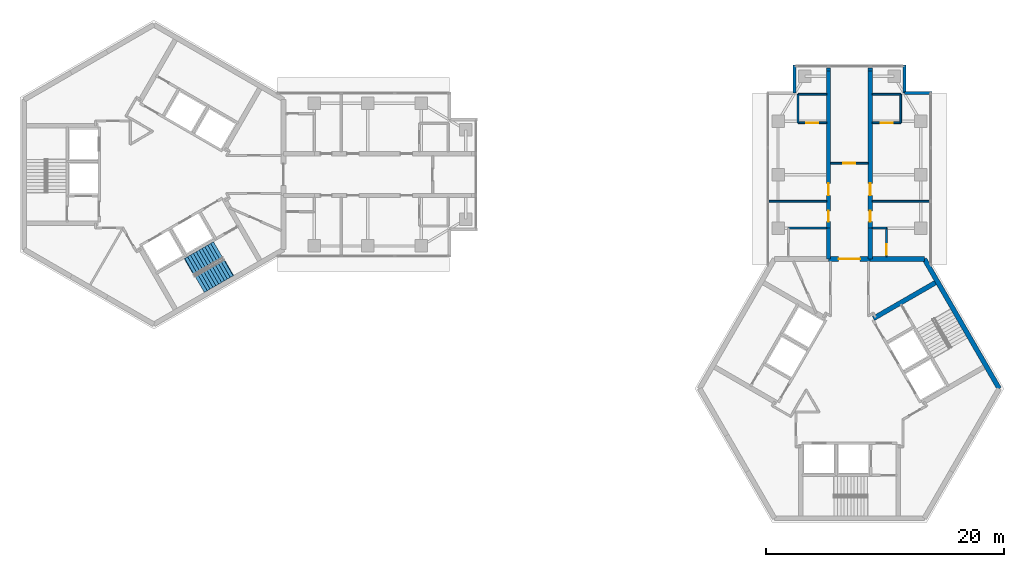
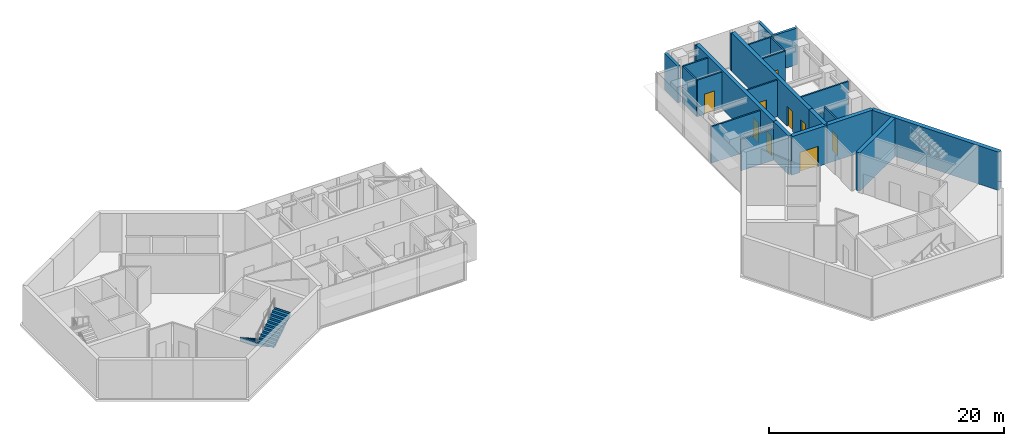
# One storey, part 9 of 11: 25 walls, 9 doors, 2 stair flights, 9 openings, 1 element without a shape of its own.
"""IFC4 building model written with IfcOpenShell, lengths in metres."""

from ifc_helpers import new_model, si_unit, direction, frame, frame_2d, origin, place, context, subcontext, project, spatial, polyline, rectangle, outline, extrude, material, layer, layer_set, type_object, element, fill, aggregate, save


model = new_model("IFC4")

# Units and contexts
model_context = context("Model", 3, precision=1e-05, world=origin(), true_north=direction((0.0, 1.0)))
body_context = subcontext(model_context, "Body", "Model", "MODEL_VIEW")
ifc_project = project(units=[si_unit("LENGTHUNIT", "METRE"), si_unit("AREAUNIT", "SQUARE_METRE"), si_unit("VOLUMEUNIT", "CUBIC_METRE"), si_unit("PLANEANGLEUNIT", "RADIAN"), si_unit("MASSUNIT", "GRAM", prefix="KILO")], contexts=[model_context])

# Site, building, storey
site_placement = place(None, origin())
site = spatial("IfcSite", under=ifc_project, at=site_placement, CompositionType="ELEMENT")
building_placement = place(site_placement, origin())
building = spatial("IfcBuilding", under=site, at=building_placement, Name="Upepo Twin Towers", CompositionType="ELEMENT")
storey_placement = place(building_placement, frame((0.0, 0.0, 247.5)))
storey = spatial("IfcBuildingStorey", under=building, at=storey_placement, Name="L60", CompositionType="ELEMENT", Elevation=247.5)

# Walls
ifc_material_1 = material(Name="Dense concrete blockwork", Category="masonry")
ifc_layer_1 = layer(ifc_material_1, 0.35009765625)
ifc_layer_set_1 = layer_set([ifc_layer_1], Name="Buttress closer 350, blockwork with fire-stopping to the curtain wall")
wall_type_1 = type_object("IfcWallType", Name="Buttress closer 350, blockwork with fire-stopping to the curtain wall", PredefinedType="PARTITIONING", material=ifc_layer_set_1)
for number, where, z_axis, x_axis, name in (
    (1, (56.75, 8.699951171875, 0.0), (0.0, 0.0, 1.0), (0.0, 1.0, 0.0), "T2 L60 wing A buttress closer L"),
    (2, (60.25, 8.699951171875, 0.0), (0.0, 0.0, 1.0), (0.0, 1.0, 0.0), "T2 L60 wing A buttress closer R"),
):
    element("IfcWall", number, at=place(storey_placement, frame(where, z_axis=z_axis, x_axis=x_axis)), inside=storey, type_object=wall_type_1, Name=name, PredefinedType="PARTITIONING", context=body_context, shape_type="SweptSolid", body=[
        extrude(rectangle(XDim=0.275146484375, YDim=0.35009765625, at=frame_2d((0.1376953125, 0.0))), origin(), (0.0, 0.0, 1.0), 3.800048828125),
    ])
ifc_material_2 = material(Name="Concrete C60/75", Category="concrete")
ifc_layer_2 = layer(ifc_material_2, 0.35009765625)
ifc_layer_set_2 = layer_set([ifc_layer_2], Name="Concrete C60/75")
wall_type_2 = type_object("IfcWallType", Name="Buttress wall 350 RC", PredefinedType="SHEAR", material=ifc_layer_set_2)
wall_1_placement = place(storey_placement, frame((56.75, -7.091552734375, 0.0), z_axis=(0.0, 0.0, 1.0), x_axis=(0.0, 1.0, 0.0)))
element("IfcWall", 3, at=wall_1_placement, inside=storey, type_object=wall_type_2, Name="T2 wing A buttress wall L", PredefinedType="SHEAR", context=body_context, shape_type="SweptSolid", body=[
    extrude(rectangle(XDim=2.591552734375, YDim=0.35009765625, at=frame_2d((1.2958984375, 0.0))), origin(), (0.0, 0.0, 1.0), 4.0),
])

# Wall, openings, doors
wall_2_placement = place(storey_placement, frame((56.75, -4.5, 0.0), z_axis=(0.0, 0.0, 1.0), x_axis=(0.0, 1.0, 0.0)))
wall_2 = element("IfcWall", 4, at=wall_2_placement, inside=storey, type_object=wall_type_2, Name="T2 wing A buttress wall L part 2", PredefinedType="SHEAR", context=body_context, shape_type="SweptSolid", body=[
    extrude(rectangle(XDim=13.199951171875, YDim=0.35009765625, at=frame_2d((6.60009765625, 0.0))), origin(), (0.0, 0.0, 1.0), 4.0),
])
opening_1_placement = place(wall_2_placement, frame((0.550048828125, 0.0, 0.0)))
opening_1 = element("IfcOpeningElement", 5, at=opening_1_placement, cuts=wall_2, Name="Opening D11", PredefinedType="OPENING", context=body_context, shape_type="SweptSolid", body=[
    extrude(rectangle(XDim=0.89990234375, YDim=2.10009765625, at=frame_2d((0.449951171875, 1.050048828125))), frame((0.0, 0.18505859375, 0.0), z_axis=(0.0, -1.0, 0.0), x_axis=(1.0, 0.0, 0.0)), (0.0, 0.0, 1.0), 0.3701171875),
])
opening_2_placement = place(wall_2_placement, frame((2.75, 0.0, 0.0)))
opening_2 = element("IfcOpeningElement", 6, at=opening_2_placement, cuts=wall_2, Name="Opening D1", PredefinedType="OPENING", context=body_context, shape_type="SweptSolid", body=[
    extrude(rectangle(XDim=1.0, YDim=2.10009765625, at=frame_2d((0.5, 1.050048828125))), frame((0.0, 0.18505859375, 0.0), z_axis=(0.0, -1.0, 0.0), x_axis=(1.0, 0.0, 0.0)), (0.0, 0.0, 1.0), 0.3701171875),
])
ifc_material_3 = material(Name="Timber doorset", Category="wood")
door_type_1 = type_object("IfcDoorType", Name="Room door 1000 FD30", OperationType="SINGLE_SWING_LEFT", PredefinedType="DOOR", material=ifc_material_3)
door_1_placement = place(opening_2_placement, origin())
door_1 = element("IfcDoor", 7, at=door_1_placement, inside=storey, type_object=door_type_1, Name="T2 L60 open-plan office door", OperationType="SINGLE_SWING_LEFT", OverallHeight=2.10009765625, OverallWidth=1.0, PredefinedType="DOOR", context=body_context, shape_type="SweptSolid", body=[
    extrude(rectangle(XDim=1.0, YDim=2.10009765625, at=frame_2d((0.5, 1.050048828125))), frame((0.0, 0.02490234375, 0.0), z_axis=(0.0, -1.0, 0.0), x_axis=(1.0, 0.0, 0.0)), (0.0, 0.0, 1.0), 0.050048828125),
])
fill(opening_2, door_1)
ifc_material_4 = material(Name="Timber doorset", Category="wood")
door_type_2 = type_object("IfcDoorType", Name="Toilet door 900", OperationType="SINGLE_SWING_LEFT", PredefinedType="DOOR", material=ifc_material_4)
door_2_placement = place(opening_1_placement, origin())
door_2 = element("IfcDoor", 8, at=door_2_placement, inside=storey, type_object=door_type_2, Name="T2 L60 accessible wc door", OperationType="SINGLE_SWING_LEFT", OverallHeight=2.10009765625, OverallWidth=0.89990234375, PredefinedType="DOOR", context=body_context, shape_type="SweptSolid", body=[
    extrude(rectangle(XDim=0.89990234375, YDim=2.10009765625, at=frame_2d((0.449951171875, 1.050048828125))), frame((0.0, 0.02490234375, 0.0), z_axis=(0.0, -1.0, 0.0), x_axis=(1.0, 0.0, 0.0)), (0.0, 0.0, 1.0), 0.050048828125),
])
fill(opening_1, door_2)

# Wall
wall_3_placement = place(storey_placement, frame((60.25, -7.091552734375, 0.0), z_axis=(0.0, 0.0, 1.0), x_axis=(0.0, 1.0, 0.0)))
element("IfcWall", 9, at=wall_3_placement, inside=storey, type_object=wall_type_2, Name="T2 wing A buttress wall R", PredefinedType="SHEAR", context=body_context, shape_type="SweptSolid", body=[
    extrude(rectangle(XDim=2.591552734375, YDim=0.35009765625, at=frame_2d((1.2958984375, 0.0))), origin(), (0.0, 0.0, 1.0), 4.0),
])

# Wall, openings, doors
wall_4_placement = place(storey_placement, frame((60.25, -4.5, 0.0), z_axis=(0.0, 0.0, 1.0), x_axis=(0.0, 1.0, 0.0)))
wall_4 = element("IfcWall", 10, at=wall_4_placement, inside=storey, type_object=wall_type_2, Name="T2 wing A buttress wall R part 2", PredefinedType="SHEAR", context=body_context, shape_type="SweptSolid", body=[
    extrude(rectangle(XDim=13.199951171875, YDim=0.35009765625, at=frame_2d((6.60009765625, 0.0))), origin(), (0.0, 0.0, 1.0), 4.0),
])
opening_3_placement = place(wall_4_placement, frame((0.550048828125, 0.0, 0.0)))
opening_3 = element("IfcOpeningElement", 11, at=opening_3_placement, cuts=wall_4, Name="Opening D11", PredefinedType="OPENING", context=body_context, shape_type="SweptSolid", body=[
    extrude(rectangle(XDim=0.89990234375, YDim=2.10009765625, at=frame_2d((0.449951171875, 1.050048828125))), frame((0.0, 0.18505859375, 0.0), z_axis=(0.0, -1.0, 0.0), x_axis=(1.0, 0.0, 0.0)), (0.0, 0.0, 1.0), 0.3701171875),
])
opening_4_placement = place(wall_4_placement, frame((2.75, 0.0, 0.0)))
opening_4 = element("IfcOpeningElement", 12, at=opening_4_placement, cuts=wall_4, Name="Opening D1", PredefinedType="OPENING", context=body_context, shape_type="SweptSolid", body=[
    extrude(rectangle(XDim=1.0, YDim=2.10009765625, at=frame_2d((0.5, 1.050048828125))), frame((0.0, 0.18505859375, 0.0), z_axis=(0.0, -1.0, 0.0), x_axis=(1.0, 0.0, 0.0)), (0.0, 0.0, 1.0), 0.3701171875),
])
door_3_placement = place(opening_4_placement, origin())
door_3 = element("IfcDoor", 13, at=door_3_placement, inside=storey, type_object=door_type_1, Name="T2 L60 open-plan office door", OperationType="SINGLE_SWING_LEFT", OverallHeight=2.10009765625, OverallWidth=1.0, PredefinedType="DOOR", context=body_context, shape_type="SweptSolid", body=[
    extrude(rectangle(XDim=1.0, YDim=2.10009765625, at=frame_2d((0.5, 1.050048828125))), frame((0.0, 0.02490234375, 0.0), z_axis=(0.0, -1.0, 0.0), x_axis=(1.0, 0.0, 0.0)), (0.0, 0.0, 1.0), 0.050048828125),
])
fill(opening_4, door_3)
door_4_placement = place(opening_3_placement, origin())
door_4 = element("IfcDoor", 14, at=door_4_placement, inside=storey, type_object=door_type_2, Name="T2 L60 toilets door", OperationType="SINGLE_SWING_LEFT", OverallHeight=2.10009765625, OverallWidth=0.89990234375, PredefinedType="DOOR", context=body_context, shape_type="SweptSolid", body=[
    extrude(rectangle(XDim=0.89990234375, YDim=2.10009765625, at=frame_2d((0.449951171875, 1.050048828125))), frame((0.0, 0.02490234375, 0.0), z_axis=(0.0, -1.0, 0.0), x_axis=(1.0, 0.0, 0.0)), (0.0, 0.0, 1.0), 0.050048828125),
])
fill(opening_3, door_4)

# Wall
ifc_material_5 = material(Name="Concrete C60/75", Category="concrete")
ifc_layer_3 = layer(ifc_material_5, 0.39990234375)
ifc_layer_set_3 = layer_set([ifc_layer_3], Name="Concrete C60/75")
wall_type_3 = type_object("IfcWallType", Name="Core wall 400 RC", PredefinedType="SHEAR", material=ifc_layer_set_3)
wall_5_placement = place(storey_placement, frame((64.7978515625, -7.091552734375, 0.0), z_axis=(0.0, 0.0, 1.0), x_axis=(-1.0, 0.0, 0.0)))
element("IfcWall", 15, at=wall_5_placement, inside=storey, type_object=wall_type_3, Name="T2 core wall 000 R", PredefinedType="SHEAR", context=body_context, shape_type="SweptSolid", body=[
    extrude(rectangle(XDim=4.5478515625, YDim=0.39990234375, at=frame_2d((2.27392578125, 0.0))), origin(), (0.0, 0.0, 1.0), 4.0),
])

# Wall, opening, door
wall_6_placement = place(storey_placement, frame((60.25, -7.091552734375, 0.0), z_axis=(0.0, 0.0, 1.0), x_axis=(-1.0, 0.0, 0.0)))
wall_6 = element("IfcWall", 16, at=wall_6_placement, inside=storey, type_object=wall_type_3, Name="T2 core wall 000", PredefinedType="SHEAR", context=body_context, shape_type="SweptSolid", body=[
    extrude(rectangle(XDim=3.5, YDim=0.39990234375, at=frame_2d((1.75, 0.0))), origin(), (0.0, 0.0, 1.0), 4.0),
])
opening_5_placement = place(wall_6_placement, frame((0.85009765625, 0.0, 0.0)))
opening_5 = element("IfcOpeningElement", 17, at=opening_5_placement, cuts=wall_6, Name="Opening D2", PredefinedType="OPENING", context=body_context, shape_type="SweptSolid", body=[
    extrude(rectangle(XDim=1.800048828125, YDim=2.10009765625, at=frame_2d((0.89990234375, 1.050048828125))), frame((0.0, 0.2099609375, 0.0), z_axis=(0.0, -1.0, 0.0), x_axis=(1.0, 0.0, 0.0)), (0.0, 0.0, 1.0), 0.419921875),
])
ifc_material_6 = material(Name="Timber doorset", Category="wood")
door_type_3 = type_object("IfcDoorType", Name="Corridor double door 1800 FD60", OperationType="DOUBLE_DOOR_DOUBLE_SWING", PredefinedType="DOOR", material=ifc_material_6)
door_5_placement = place(opening_5_placement, origin())
door_5 = element("IfcDoor", 18, at=door_5_placement, inside=storey, type_object=door_type_3, Name="T2 L60 wing A corridor door", OperationType="DOUBLE_DOOR_DOUBLE_SWING", OverallHeight=2.10009765625, OverallWidth=1.800048828125, PredefinedType="DOOR", context=body_context, shape_type="SweptSolid", body=[
    extrude(rectangle(XDim=1.800048828125, YDim=2.10009765625, at=frame_2d((0.89990234375, 1.050048828125))), frame((0.0, 0.02490234375, 0.0), z_axis=(0.0, -1.0, 0.0), x_axis=(1.0, 0.0, 0.0)), (0.0, 0.0, 1.0), 0.050048828125),
])
fill(opening_5, door_5)

# Walls
wall_7_placement = place(storey_placement, frame((71.095947265625, -18.0, 0.0), z_axis=(0.0, 0.0, 1.0), x_axis=(-0.500005998175, 0.866021940709, 0.0)))
element("IfcWall", 19, at=wall_7_placement, inside=storey, type_object=wall_type_3, Name="T2 core wall 300", PredefinedType="SHEAR", context=body_context, shape_type="SweptSolid", body=[
    extrude(rectangle(XDim=12.595947265625, YDim=0.39990234375, at=frame_2d((6.2978515625, 0.0))), origin(), (0.0, 0.0, 1.0), 4.0),
])
ifc_material_7 = material(Name="Blockwork with anodised aluminium cladding", Category="masonry")
ifc_layer_4 = layer(ifc_material_7, 0.25)
ifc_layer_set_4 = layer_set([ifc_layer_4], Name="Notch cladding wall 250, pale metal")
wall_type_4 = type_object("IfcWallType", Name="Notch cladding wall 250, pale metal", PredefinedType="STANDARD", material=ifc_layer_set_4)
for number, where, z_axis, x_axis, name in (
    (20, (53.875, 6.875, 0.0), (0.0, 0.0, 1.0), (0.0, 1.0, 0.0), "T2 L60 wing A notch wall L2"),
    (21, (65.449951171875, 6.875, 0.0), (0.0, 0.0, 1.0), (-1.0, 0.0, 0.0), "T2 L60 wing A notch wall R1"),
    (22, (63.125, 6.875, 0.0), (0.0, 0.0, 1.0), (0.0, 1.0, 0.0), "T2 L60 wing A notch wall R2"),
):
    element("IfcWall", number, at=place(storey_placement, frame(where, z_axis=z_axis, x_axis=x_axis)), inside=storey, type_object=wall_type_4, Name=name, PredefinedType="STANDARD", context=body_context, shape_type="SweptSolid", body=[
        extrude(rectangle(XDim=2.324951171875, YDim=0.25, at=frame_2d((1.16259765625, 0.0))), origin(), (0.0, 0.0, 1.0), 3.800048828125),
    ])
ifc_material_8 = material(Name="Concrete C40/50", Category="concrete")
ifc_layer_5 = layer(ifc_material_8, 0.39990234375)
ifc_layer_set_5 = layer_set([ifc_layer_5], Name="Concrete C40/50")
wall_type_5 = type_object("IfcWallType", Name="Shaft wall 400 RC", PredefinedType="SHEAR", material=ifc_layer_set_5)
wall_8_placement = place(storey_placement, frame((60.520263671875, -12.099365234375, 0.0), z_axis=(0.0, 0.0, 1.0), x_axis=(0.866026570101, 0.499997979876, 0.0)))
element("IfcWall", 23, at=wall_8_placement, inside=storey, type_object=wall_type_5, Name="T2 core W300 side wall N", PredefinedType="SHEAR", context=body_context, shape_type="SweptSolid", body=[
    extrude(rectangle(XDim=6.00830078125, YDim=0.39990234375, at=frame_2d((3.004150390625, 0.0))), origin(), (0.0, 0.0, 1.0), 4.0),
])
ifc_material_9 = material(Name="Gypsum board on steel studs", Category="steel")
ifc_layer_6 = layer(ifc_material_9, 0.14990234375)
ifc_layer_set_6 = layer_set([ifc_layer_6], Name="Teaching partition 150 acoustic")
wall_type_6 = type_object("IfcWallType", Name="Teaching partition 150 acoustic", PredefinedType="PARTITIONING", material=ifc_layer_set_6)
wall_9_placement = place(storey_placement, frame((56.574951171875, -2.25, 0.0), z_axis=(0.0, 0.0, 1.0), x_axis=(-1.0, 0.0, 0.0)))
element("IfcWall", 24, at=wall_9_placement, inside=storey, type_object=wall_type_6, Name="T2 partition AL at 15.75", PredefinedType="PARTITIONING", context=body_context, shape_type="SweptSolid", body=[
    extrude(rectangle(XDim=4.824951171875, YDim=0.14990234375, at=frame_2d((2.41259765625, 0.0))), origin(), (0.0, 0.0, 1.0), 3.800048828125),
])
wall_10_placement = place(storey_placement, frame((54.175048828125, 4.35009765625, 0.0), z_axis=(0.0, 0.0, 1.0), x_axis=(0.0, 1.0, 0.0)))
element("IfcWall", 25, at=wall_10_placement, inside=storey, type_object=wall_type_6, Name="T2 inner room partition AL at 22.35", PredefinedType="PARTITIONING", context=body_context, shape_type="SweptSolid", body=[
    extrude(rectangle(XDim=2.39990234375, YDim=0.14990234375, at=frame_2d((1.199951171875, 0.0))), origin(), (0.0, 0.0, 1.0), 3.800048828125),
])

# Wall, opening, door
wall_11_placement = place(storey_placement, frame((56.574951171875, 4.35009765625, 0.0), z_axis=(0.0, 0.0, 1.0), x_axis=(-1.0, 0.0, 0.0)))
wall_11 = element("IfcWall", 26, at=wall_11_placement, inside=storey, type_object=wall_type_6, Name="T2 inner room partition AL end at 22.35", PredefinedType="PARTITIONING", context=body_context, shape_type="SweptSolid", body=[
    extrude(rectangle(XDim=2.39990234375, YDim=0.14990234375, at=frame_2d((1.199951171875, 0.0))), origin(), (0.0, 0.0, 1.0), 3.800048828125),
])
opening_6_placement = place(wall_11_placement, frame((0.699951171875, 0.0, 0.0)))
opening_6 = element("IfcOpeningElement", 27, at=opening_6_placement, cuts=wall_11, Name="Opening D1", PredefinedType="OPENING", context=body_context, shape_type="SweptSolid", body=[
    extrude(rectangle(XDim=1.0, YDim=2.10009765625, at=frame_2d((0.5, 1.050048828125))), frame((0.0, 0.0849609375, 0.0), z_axis=(0.0, -1.0, 0.0), x_axis=(1.0, 0.0, 0.0)), (0.0, 0.0, 1.0), 0.169921875),
])
door_6_placement = place(opening_6_placement, origin())
door_6 = element("IfcDoor", 28, at=door_6_placement, inside=storey, type_object=door_type_1, Name="T2 L60 inner room door", OperationType="SINGLE_SWING_LEFT", OverallHeight=2.10009765625, OverallWidth=1.0, PredefinedType="DOOR", context=body_context, shape_type="SweptSolid", body=[
    extrude(rectangle(XDim=1.0, YDim=2.10009765625, at=frame_2d((0.5, 1.050048828125))), frame((0.0, 0.02490234375, 0.0), z_axis=(0.0, -1.0, 0.0), x_axis=(1.0, 0.0, 0.0)), (0.0, 0.0, 1.0), 0.050048828125),
])
fill(opening_6, door_6)

# Walls
wall_12_placement = place(storey_placement, frame((56.574951171875, 6.75, 0.0), z_axis=(0.0, 0.0, 1.0), x_axis=(-1.0, 0.0, 0.0)))
element("IfcWall", 29, at=wall_12_placement, inside=storey, type_object=wall_type_6, Name="T2 inner room partition AL end at 24.75", PredefinedType="PARTITIONING", context=body_context, shape_type="SweptSolid", body=[
    extrude(rectangle(XDim=2.39990234375, YDim=0.14990234375, at=frame_2d((1.199951171875, 0.0))), origin(), (0.0, 0.0, 1.0), 3.800048828125),
])
wall_13_placement = place(storey_placement, frame((56.574951171875, -4.491943359375, 0.0), z_axis=(0.0, 0.0, 1.0), x_axis=(-1.0, 0.0, 0.0)))
element("IfcWall", 30, at=wall_13_placement, inside=storey, type_object=wall_type_6, Name="T2 WC bay partition AL end at 13.51", PredefinedType="PARTITIONING", context=body_context, shape_type="SweptSolid", body=[
    extrude(rectangle(XDim=3.199951171875, YDim=0.14990234375, at=frame_2d((1.60009765625, 0.0))), origin(), (0.0, 0.0, 1.0), 3.266845703125),
])
wall_14_placement = place(storey_placement, frame((60.425048828125, -2.25, 0.0), z_axis=(0.0, 0.0, 1.0), x_axis=(1.0, 0.0, 0.0)))
element("IfcWall", 31, at=wall_14_placement, inside=storey, type_object=wall_type_6, Name="T2 partition AR at 15.75", PredefinedType="PARTITIONING", context=body_context, shape_type="SweptSolid", body=[
    extrude(rectangle(XDim=4.824951171875, YDim=0.14990234375, at=frame_2d((2.41259765625, 0.0))), origin(), (0.0, 0.0, 1.0), 3.800048828125),
])
wall_15_placement = place(storey_placement, frame((62.824951171875, 4.35009765625, 0.0), z_axis=(0.0, 0.0, 1.0), x_axis=(0.0, 1.0, 0.0)))
element("IfcWall", 32, at=wall_15_placement, inside=storey, type_object=wall_type_6, Name="T2 inner room partition AR at 22.35", PredefinedType="PARTITIONING", context=body_context, shape_type="SweptSolid", body=[
    extrude(rectangle(XDim=2.39990234375, YDim=0.14990234375, at=frame_2d((1.199951171875, 0.0))), origin(), (0.0, 0.0, 1.0), 3.800048828125),
])

# Wall, opening, door
wall_16_placement = place(storey_placement, frame((60.425048828125, 4.35009765625, 0.0), z_axis=(0.0, 0.0, 1.0), x_axis=(1.0, 0.0, 0.0)))
wall_16 = element("IfcWall", 33, at=wall_16_placement, inside=storey, type_object=wall_type_6, Name="T2 inner room partition AR end at 22.35", PredefinedType="PARTITIONING", context=body_context, shape_type="SweptSolid", body=[
    extrude(rectangle(XDim=2.39990234375, YDim=0.14990234375, at=frame_2d((1.199951171875, 0.0))), origin(), (0.0, 0.0, 1.0), 3.800048828125),
])
opening_7_placement = place(wall_16_placement, frame((0.699951171875, 0.0, 0.0)))
opening_7 = element("IfcOpeningElement", 34, at=opening_7_placement, cuts=wall_16, Name="Opening D1", PredefinedType="OPENING", context=body_context, shape_type="SweptSolid", body=[
    extrude(rectangle(XDim=1.0, YDim=2.10009765625, at=frame_2d((0.5, 1.050048828125))), frame((0.0, 0.0849609375, 0.0), z_axis=(0.0, -1.0, 0.0), x_axis=(1.0, 0.0, 0.0)), (0.0, 0.0, 1.0), 0.169921875),
])
door_7_placement = place(opening_7_placement, origin())
door_7 = element("IfcDoor", 35, at=door_7_placement, inside=storey, type_object=door_type_1, Name="T2 L60 inner room door", OperationType="SINGLE_SWING_LEFT", OverallHeight=2.10009765625, OverallWidth=1.0, PredefinedType="DOOR", context=body_context, shape_type="SweptSolid", body=[
    extrude(rectangle(XDim=1.0, YDim=2.10009765625, at=frame_2d((0.5, 1.050048828125))), frame((0.0, 0.02490234375, 0.0), z_axis=(0.0, -1.0, 0.0), x_axis=(1.0, 0.0, 0.0)), (0.0, 0.0, 1.0), 0.050048828125),
])
fill(opening_7, door_7)

# Wall
wall_17_placement = place(storey_placement, frame((60.425048828125, 6.75, 0.0), z_axis=(0.0, 0.0, 1.0), x_axis=(1.0, 0.0, 0.0)))
element("IfcWall", 36, at=wall_17_placement, inside=storey, type_object=wall_type_6, Name="T2 inner room partition AR end at 24.75", PredefinedType="PARTITIONING", context=body_context, shape_type="SweptSolid", body=[
    extrude(rectangle(XDim=2.39990234375, YDim=0.14990234375, at=frame_2d((1.199951171875, 0.0))), origin(), (0.0, 0.0, 1.0), 3.800048828125),
])

# Wall, opening, door
wall_18_placement = place(storey_placement, frame((61.625, -6.89208984375, 0.0), z_axis=(0.0, 0.0, 1.0), x_axis=(0.0, 1.0, 0.0)))
wall_18 = element("IfcWall", 37, at=wall_18_placement, inside=storey, type_object=wall_type_6, Name="T2 WC bay partition AR at 11.11", PredefinedType="PARTITIONING", context=body_context, shape_type="SweptSolid", body=[
    extrude(rectangle(XDim=2.400146484375, YDim=0.14990234375, at=frame_2d((1.2001953125, 0.0))), origin(), (0.0, 0.0, 1.0), 3.800048828125),
])
opening_8_placement = place(wall_18_placement, frame((0.14990234375, 0.0, 0.0)))
opening_8 = element("IfcOpeningElement", 38, at=opening_8_placement, cuts=wall_18, Name="Opening D14", PredefinedType="OPENING", context=body_context, shape_type="SweptSolid", body=[
    extrude(rectangle(XDim=0.89990234375, YDim=2.10009765625, at=frame_2d((0.449951171875, 1.050048828125))), frame((0.0, 0.0849609375, 0.0), z_axis=(0.0, -1.0, 0.0), x_axis=(1.0, 0.0, 0.0)), (0.0, 0.0, 1.0), 0.169921875),
])
ifc_material_10 = material(Name="Timber doorset", Category="wood")
door_type_4 = type_object("IfcDoorType", Name="Office door 900 FD30", OperationType="SINGLE_SWING_LEFT", PredefinedType="DOOR", material=ifc_material_10)
door_8_placement = place(opening_8_placement, origin())
door_8 = element("IfcDoor", 39, at=door_8_placement, inside=storey, type_object=door_type_4, Name="T2 L60 WC bay inner room door", OperationType="SINGLE_SWING_LEFT", OverallHeight=2.10009765625, OverallWidth=0.89990234375, PredefinedType="DOOR", context=body_context, shape_type="SweptSolid", body=[
    extrude(rectangle(XDim=0.89990234375, YDim=2.10009765625, at=frame_2d((0.449951171875, 1.050048828125))), frame((0.0, 0.02490234375, 0.0), z_axis=(0.0, -1.0, 0.0), x_axis=(1.0, 0.0, 0.0)), (0.0, 0.0, 1.0), 0.050048828125),
])
fill(opening_8, door_8)

# Wall
wall_19_placement = place(storey_placement, frame((60.425048828125, -4.491943359375, 0.0), z_axis=(0.0, 0.0, 1.0), x_axis=(1.0, 0.0, 0.0)))
element("IfcWall", 40, at=wall_19_placement, inside=storey, type_object=wall_type_6, Name="T2 WC bay partition AR end at 13.51", PredefinedType="PARTITIONING", context=body_context, shape_type="SweptSolid", body=[
    extrude(rectangle(XDim=1.199951171875, YDim=0.14990234375, at=frame_2d((0.60009765625, 0.0))), origin(), (0.0, 0.0, 1.0), 3.266845703125),
])

# Wall, opening, door
wall_20_placement = place(storey_placement, frame((60.074951171875, 0.949951171875, 0.0), z_axis=(0.0, 0.0, 1.0), x_axis=(-1.0, 0.0, 0.0)))
wall_20 = element("IfcWall", 41, at=wall_20_placement, inside=storey, type_object=wall_type_6, Name="T2 corridor end partition A at 18.95", PredefinedType="PARTITIONING", context=body_context, shape_type="SweptSolid", body=[
    extrude(rectangle(XDim=3.14990234375, YDim=0.14990234375, at=frame_2d((1.574951171875, 0.0))), origin(), (0.0, 0.0, 1.0), 3.800048828125),
])
opening_9_placement = place(wall_20_placement, frame((1.074951171875, 0.0, 0.0)))
opening_9 = element("IfcOpeningElement", 42, at=opening_9_placement, cuts=wall_20, Name="Opening D1", PredefinedType="OPENING", context=body_context, shape_type="SweptSolid", body=[
    extrude(rectangle(XDim=1.0, YDim=2.10009765625, at=frame_2d((0.5, 1.050048828125))), frame((0.0, 0.0849609375, 0.0), z_axis=(0.0, -1.0, 0.0), x_axis=(1.0, 0.0, 0.0)), (0.0, 0.0, 1.0), 0.169921875),
])
door_9_placement = place(opening_9_placement, origin())
door_9 = element("IfcDoor", 43, at=door_9_placement, inside=storey, type_object=door_type_1, Name="T2 L60 breakout study room door", OperationType="SINGLE_SWING_LEFT", OverallHeight=2.10009765625, OverallWidth=1.0, PredefinedType="DOOR", context=body_context, shape_type="SweptSolid", body=[
    extrude(rectangle(XDim=1.0, YDim=2.10009765625, at=frame_2d((0.5, 1.050048828125))), frame((0.0, 0.02490234375, 0.0), z_axis=(0.0, -1.0, 0.0), x_axis=(1.0, 0.0, 0.0)), (0.0, 0.0, 1.0), 0.050048828125),
])
fill(opening_9, door_9)

# Stair, stair flights
ifc_material_11 = material(Name="Concrete C40/50", Category="concrete")
stair_type = type_object("IfcStairType", Name="Core stair, two flights", PredefinedType="HALF_TURN_STAIR", material=ifc_material_11)
stair_placement = place(storey_placement, origin())
stair = element("IfcStair", 44, at=stair_placement, inside=storey, type_object=stair_type, Name="T1 stair S2 L60", PredefinedType="HALF_TURN_STAIR")
ifc_material_12 = material(Name="Concrete C40/50", Category="concrete")
stair_flight_type = type_object("IfcStairFlightType", Name="Stair flight 1600 RC", PredefinedType="STRAIGHT", material=ifc_material_12)
stair_flight_1_placement = place(storey_placement, frame((5.416259765625, -6.34130859375, 0.0), z_axis=(0.0, 0.0, 1.0), x_axis=(-0.866025403784, -0.5, 0.0)))
stair_flight_1 = element("IfcStairFlight", 45, at=stair_flight_1_placement, type_object=stair_flight_type, Name="Stair S2 flight 1", NumberOfRisers=11, NumberOfTreads=10, PredefinedType="STRAIGHT", RiserHeight=0.181818182, TreadLength=0.28, context=body_context, shape_type="SweptSolid", body=[
    extrude(outline(polyline([(0.0, 0.0), (0.0, 0.181884765625), (0.280029296875, 0.181884765625), (0.280029296875, 0.363525390625), (0.56005859375, 0.363525390625), (0.56005859375, 0.54541015625), (0.840087890625, 0.54541015625), (0.840087890625, 0.727294921875), (1.1201171875, 0.727294921875), (1.1201171875, 0.9091796875), (1.39990234375, 0.9091796875), (1.39990234375, 1.0908203125), (1.679931640625, 1.0908203125), (1.679931640625, 1.272705078125), (1.9599609375, 1.272705078125), (1.9599609375, 1.45458984375), (2.239990234375, 1.45458984375), (2.239990234375, 1.636474609375), (2.52001953125, 1.636474609375), (2.52001953125, 1.818115234375), (2.800048828125, 1.818115234375), (2.800048828125, 2.0), (2.85009765625, 2.0), (2.85009765625, 1.639404296875), (0.3251953125, 0.0), (0.0, 0.0)])), frame((0.0, 0.800048828125, 0.0), z_axis=(0.0, -1.0, 0.0), x_axis=(1.0, 0.0, 0.0)), (0.0, 0.0, 1.0), 1.60009765625),
])
stair_flight_2_placement = place(storey_placement, frame((3.845703125, -9.220947265625, 2.0), z_axis=(0.0, 0.0, 1.0), x_axis=(0.866025403784, 0.5, 0.0)))
stair_flight_2 = element("IfcStairFlight", 46, at=stair_flight_2_placement, type_object=stair_flight_type, Name="Stair S2 flight 2", NumberOfRisers=11, NumberOfTreads=10, PredefinedType="STRAIGHT", RiserHeight=0.181818182, TreadLength=0.28, context=body_context, shape_type="SweptSolid", body=[
    extrude(outline(polyline([(0.0, 0.0), (0.0, 0.181884765625), (0.280029296875, 0.181884765625), (0.280029296875, 0.363525390625), (0.56005859375, 0.363525390625), (0.56005859375, 0.54541015625), (0.840087890625, 0.54541015625), (0.840087890625, 0.727294921875), (1.1201171875, 0.727294921875), (1.1201171875, 0.9091796875), (1.39990234375, 0.9091796875), (1.39990234375, 1.0908203125), (1.679931640625, 1.0908203125), (1.679931640625, 1.272705078125), (1.9599609375, 1.272705078125), (1.9599609375, 1.45458984375), (2.239990234375, 1.45458984375), (2.239990234375, 1.636474609375), (2.52001953125, 1.636474609375), (2.52001953125, 1.818115234375), (2.800048828125, 1.818115234375), (2.800048828125, 2.0), (2.85009765625, 2.0), (2.85009765625, 1.639404296875), (0.3251953125, 0.0), (0.0, 0.0)])), frame((0.0, 0.800048828125, 0.0), z_axis=(0.0, -1.0, 0.0), x_axis=(1.0, 0.0, 0.0)), (0.0, 0.0, 1.0), 1.60009765625),
])
aggregate(stair, [stair_flight_1, stair_flight_2])

save(model, "model.ifc")
